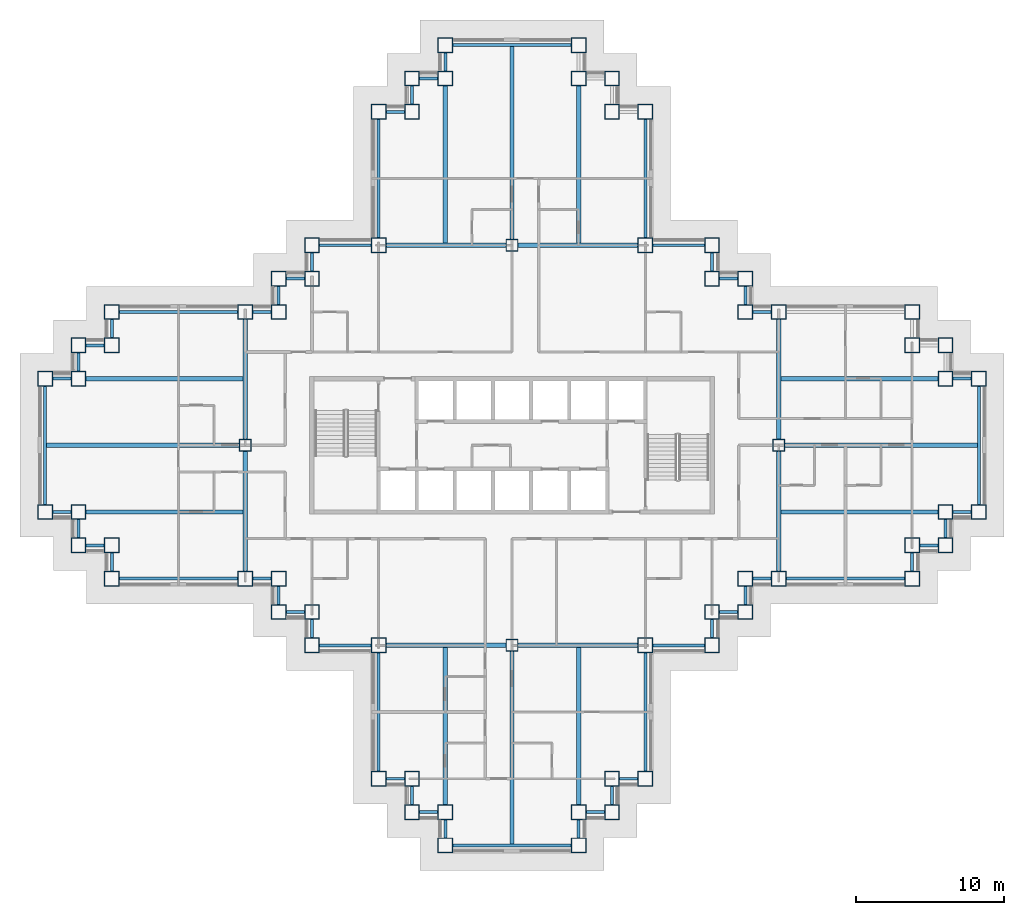
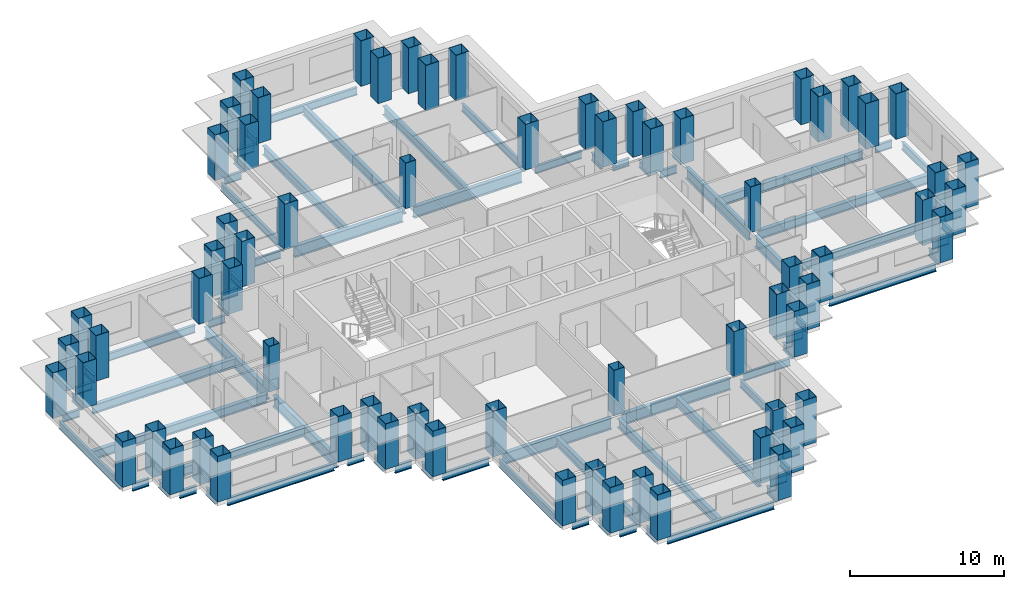
# One storey, part 1 of 14: 76 beams, 68 columns.
"""IFC4 building model written with IfcOpenShell, lengths in metres."""

import ifcopenshell
import ifcopenshell.guid

model = None  # the IFC model being written
_history = None  # IfcOwnerHistory: only IFC2X3 demands one
_inside = {}  # id of a spatial element -> (the spatial element, [elements in it])
_under = {}  # id of a project, library or spatial element -> (it, [spatial elements below it])
_declared = {}  # id of a project -> (the project, [libraries it declares])
_typed = {}  # id of a type object -> (the type object, [elements of that type])
_made_of = {}  # id of a material, layer set ... -> (it, [elements and type objects made of it])


def new_model(schema):
    """Start an empty IFC model of exactly this schema.

    Asked for "IFC4X3", IfcOpenShell would pick the latest addendum, in which some entities
    have other attributes; the version numbers below select the first issue.
    IFC2X3 requires an IfcOwnerHistory on every rooted entity: one is made here for all.
    """
    global model, _history
    if schema == "IFC4X3":
        model = ifcopenshell.file(schema_version=(4, 3, 0, 0))
    else:
        model = ifcopenshell.file(schema=schema)
    _inside.clear()
    _under.clear()
    _declared.clear()
    _typed.clear()
    _made_of.clear()
    _history = None
    if model.schema == "IFC2X3":
        org = make("IfcOrganization", Name="unknown")
        user = make(
            "IfcPersonAndOrganization",
            ThePerson=make("IfcPerson", FamilyName="unknown"),
            TheOrganization=org,
        )
        app = make(
            "IfcApplication",
            ApplicationDeveloper=org,
            Version="unknown",
            ApplicationFullName="unknown",
            ApplicationIdentifier="unknown",
        )
        _history = make(
            "IfcOwnerHistory",
            OwningUser=user,
            OwningApplication=app,
            ChangeAction="ADDED",
            CreationDate=0,
        )
    return model


def make(cls, **values):
    """One entity of the class cls with the attributes given. An attribute that is None is left unset."""
    return model.create_entity(
        cls, **{name: value for name, value in values.items() if value is not None}
    )


def rooted(cls, **values):
    """An entity with a GlobalId (a new one), such as an element, a storey or a relation."""
    return make(cls, GlobalId=ifcopenshell.guid.new(), OwnerHistory=_history, **values)


def si_unit(unit_type, name, prefix=None):
    """IfcSIUnit, for example si_unit("LENGTHUNIT", "METRE", prefix="MILLI")."""
    return make("IfcSIUnit", UnitType=unit_type, Prefix=prefix, Name=name)


def assignment(units):
    """IfcUnitAssignment: the units of a project."""
    return None if units is None else make("IfcUnitAssignment", Units=units)


def point(xyz):
    """IfcCartesianPoint."""
    return None if xyz is None else make("IfcCartesianPoint", Coordinates=xyz)


def direction(xyz):
    """IfcDirection."""
    return None if xyz is None else make("IfcDirection", DirectionRatios=xyz)


def frame(location, z_axis=None, x_axis=None):
    """IfcAxis2Placement3D, a coordinate frame: its origin and axes. An axis left out is left unset."""
    return make(
        "IfcAxis2Placement3D",
        Location=point(location),
        Axis=direction(z_axis),
        RefDirection=direction(x_axis),
    )


def frame_2d(location, x_axis=None):
    """IfcAxis2Placement2D, a coordinate frame in the plane: its origin and x axis."""
    return make(
        "IfcAxis2Placement2D", Location=point(location), RefDirection=direction(x_axis)
    )


def origin():
    """The frame at (0, 0, 0) with its axes left unset."""
    return frame((0.0, 0.0, 0.0))


def origin_2d():
    """The frame at (0, 0) in the plane with its x axis left unset."""
    return frame_2d((0.0, 0.0))


def place(relative_to, where):
    """IfcLocalPlacement: puts the frame where relative to a parent placement (None: the world)."""
    return make(
        "IfcLocalPlacement", PlacementRelTo=relative_to, RelativePlacement=where
    )


def context(
    kind, dimensions, precision=None, world=None, true_north=None, identifier=None
):
    """IfcGeometricRepresentationContext, for example the 3D "Model" context."""
    return make(
        "IfcGeometricRepresentationContext",
        ContextIdentifier=identifier,
        ContextType=kind,
        CoordinateSpaceDimension=dimensions,
        Precision=precision,
        WorldCoordinateSystem=world,
        TrueNorth=true_north,
    )


def subcontext(parent, identifier, kind, view, scale=None):
    """IfcGeometricRepresentationSubContext, for example "Body" below "Model"."""
    return make(
        "IfcGeometricRepresentationSubContext",
        ContextIdentifier=identifier,
        ContextType=kind,
        ParentContext=parent,
        TargetScale=scale,
        TargetView=view,
    )


def project(units=None, contexts=None):
    """IfcProject with its units and contexts."""
    return rooted(
        "IfcProject",
        Name="project",
        RepresentationContexts=contexts,
        UnitsInContext=assignment(units),
    )


def spatial(cls, under=None, at=None, **own):
    """A site, building, storey or space (cls), placed at a placement, below another one or the project."""
    s = rooted(cls, ObjectPlacement=at, **own)
    if under is not None:
        _under.setdefault(under.id(), (under, []))[1].append(s)
    return s


def profile(cls, at=None, kind="AREA", **sizes):
    """A parametric profile (cls). Its sizes go by their IFC names, for example OverallWidth=200.0."""
    return make(cls, ProfileType=kind, Position=at, **sizes)


def hollow_rectangle(**sizes):
    """IfcRectangleHollowProfileDef."""
    return profile("IfcRectangleHollowProfileDef", **sizes)


def i_section(**sizes):
    """IfcIShapeProfileDef."""
    return profile("IfcIShapeProfileDef", **sizes)


def extrude(swept, where, along, depth):
    """IfcExtrudedAreaSolid: the profile swept, set in the frame where, extruded along a direction by depth."""
    return make(
        "IfcExtrudedAreaSolid",
        SweptArea=swept,
        Position=where,
        ExtrudedDirection=direction(along),
        Depth=depth,
    )


def shape(context_of_items, identifier, shape_type, items):
    """IfcShapeRepresentation: the items that make up one representation, for example the "Body"."""
    return make(
        "IfcShapeRepresentation",
        ContextOfItems=context_of_items,
        RepresentationIdentifier=identifier,
        RepresentationType=shape_type,
        Items=items,
    )


def material(Name=None, Category=None):
    """IfcMaterial."""
    return make("IfcMaterial", Name=Name, Category=Category)


def material_profile(
    of_material, cross_section, Name=None, Category=None, Priority=None
):
    """IfcMaterialProfile: a cross section and its material."""
    return make(
        "IfcMaterialProfile",
        Name=Name,
        Material=of_material,
        Profile=cross_section,
        Priority=Priority,
        Category=Category,
    )


def profile_set(profiles, Name=None, composite=None):
    """IfcMaterialProfileSet."""
    return make(
        "IfcMaterialProfileSet",
        Name=Name,
        MaterialProfiles=profiles,
        CompositeProfile=composite,
    )


def made_of(thing, what):
    """Note that an element or type object is made of a material, layer set ...; save() writes the relation."""
    if what is not None:
        _made_of.setdefault(what.id(), (what, []))[1].append(thing)
    return thing


def type_object(cls, material=None, **own):
    """A type object (cls), such as IfcWallType, which elements share."""
    return made_of(rooted(cls, **own), material)


def element(
    cls,
    number,
    at=None,
    inside=None,
    cuts=None,
    type_object=None,
    material=None,
    context=None,
    identifier="Body",
    shape_type=None,
    held_by="IfcProductDefinitionShape",
    body=None,
    shapes=None,
    **own,
):
    """One element of the class cls, such as IfcWall. Its Tag is "e" and its number.

    at: its placement. inside: the storey or other place that contains it. cuts: it is an
    opening in that element (IfcRelVoidsElement). A single representation is given by context,
    identifier, shape_type and body (its items); several are given by shapes. held_by: the class
    of the entity that holds the representations. save() writes the other relations.
    """
    e = rooted(cls, Tag="e%d" % number, ObjectPlacement=at, **own)
    if body is not None:
        shapes = [shape(context, identifier, shape_type, body)]
    if shapes is not None:
        e.Representation = make(held_by, Representations=shapes)
    if inside is not None:
        _inside.setdefault(inside.id(), (inside, []))[1].append(e)
    if cuts is not None:
        rooted(
            "IfcRelVoidsElement", RelatingBuildingElement=cuts, RelatedOpeningElement=e
        )
    if type_object is not None:
        _typed.setdefault(type_object.id(), (type_object, []))[1].append(e)
    return made_of(e, material)


def aggregate(whole, parts):
    """IfcRelAggregates: a whole, such as a stair, and the parts it consists of."""
    return rooted("IfcRelAggregates", RelatingObject=whole, RelatedObjects=parts)


def save(model, path):
    """Write the relations noted so far, then the file.

    IfcRelAggregates (storeys below a building ...), IfcRelContainedInSpatialStructure (elements
    in a storey), IfcRelDefinesByType, IfcRelAssociatesMaterial and IfcRelDeclares: one each for
    every whole, place, type object, material and project.
    """
    for whole, parts in _under.values():
        aggregate(whole, parts)
    for where, things in _inside.values():
        rooted(
            "IfcRelContainedInSpatialStructure",
            RelatedElements=things,
            RelatingStructure=where,
        )
    for kind, things in _typed.values():
        rooted("IfcRelDefinesByType", RelatedObjects=things, RelatingType=kind)
    for what, things in _made_of.values():
        rooted("IfcRelAssociatesMaterial", RelatedObjects=things, RelatingMaterial=what)
    for by, libraries in _declared.values():
        rooted("IfcRelDeclares", RelatingContext=by, RelatedDefinitions=libraries)
    model.write(path)


model = new_model("IFC4")

# Units and contexts
model_context = context("Model", 3, precision=1e-05, world=origin(), true_north=direction((0.0, 1.0)))
body_context = subcontext(model_context, "Body", "Model", "MODEL_VIEW")
ifc_project = project(units=[si_unit("LENGTHUNIT", "METRE"), si_unit("AREAUNIT", "SQUARE_METRE"), si_unit("VOLUMEUNIT", "CUBIC_METRE"), si_unit("PLANEANGLEUNIT", "RADIAN"), si_unit("MASSUNIT", "GRAM", prefix="KILO")], contexts=[model_context])

# Site, building, storey
site_placement = place(None, origin())
site = spatial("IfcSite", under=ifc_project, at=site_placement, CompositionType="ELEMENT")
building_placement = place(site_placement, origin())
building = spatial("IfcBuilding", under=site, at=building_placement, Name="Caravel Reach Hotel and Residences", CompositionType="ELEMENT")
storey_placement = place(building_placement, frame((0.0, 0.0, 56.39990234375)))
storey = spatial("IfcBuildingStorey", under=building, at=storey_placement, Name="L12", CompositionType="ELEMENT", Elevation=56.39990234375)

# Columns
ifc_material_1 = material(Name="Concrete-filled steel tube Q390B with Concrete C70 infill", Category="concrete")
ifc_material_profile_1 = material_profile(ifc_material_1, hollow_rectangle(XDim=1.0, YDim=1.0, WallThickness=0.031982421875, at=origin_2d()), Name="RHS 1000x1000x32")
ifc_profile_set_1 = profile_set([ifc_material_profile_1], Name="Concrete-filled steel tube Q390B with Concrete C70 infill")
column_type_1 = type_object("IfcColumnType", Name="CFT 1000x1000 Q390B C70", PredefinedType="COLUMN", material=ifc_profile_set_1)
for number, where, z_axis, x_axis, name in (
    (1, (22.5, 4.5, 0.0), (0.0, 0.0, 1.0), (1.0, 0.0, 0.0), "C2 column"),
    (2, (24.75, 4.5, 0.0), (0.0, 0.0, 1.0), (1.0, 0.0, 0.0), "C2 column"),
    (3, (24.75, 2.25, 0.0), (0.0, 0.0, 1.0), (1.0, 0.0, 0.0), "C2 column"),
    (4, (27.0, 2.25, 0.0), (0.0, 0.0, 1.0), (1.0, 0.0, 0.0), "C2 column"),
    (5, (27.0, 0.0, 0.0), (0.0, 0.0, 1.0), (1.0, 0.0, 0.0), "C2 column"),
    (6, (36.0, 0.0, 0.0), (0.0, 0.0, 1.0), (1.0, 0.0, 0.0), "C2 column"),
    (7, (36.0, 2.25, 0.0), (0.0, 0.0, 1.0), (1.0, 0.0, 0.0), "C2 column"),
    (8, (38.25, 2.25, 0.0), (0.0, 0.0, 1.0), (1.0, 0.0, 0.0), "C2 column"),
    (9, (38.25, 4.5, 0.0), (0.0, 0.0, 1.0), (1.0, 0.0, 0.0), "C2 column"),
    (10, (40.5, 4.5, 0.0), (0.0, 0.0, 1.0), (1.0, 0.0, 0.0), "C2 column"),
    (11, (40.5, 13.5, 0.0), (0.0, 0.0, 1.0), (1.0, 0.0, 0.0), "C2 column"),
    (12, (45.0, 13.5, 0.0), (0.0, 0.0, 1.0), (1.0, 0.0, 0.0), "C2 column"),
    (13, (45.0, 15.75, 0.0), (0.0, 0.0, 1.0), (1.0, 0.0, 0.0), "C2 column"),
    (14, (47.25, 15.75, 0.0), (0.0, 0.0, 1.0), (1.0, 0.0, 0.0), "C2 column"),
    (15, (47.25, 18.0, 0.0), (0.0, 0.0, 1.0), (1.0, 0.0, 0.0), "C2 column"),
    (16, (49.5, 18.0, 0.0), (0.0, 0.0, 1.0), (1.0, 0.0, 0.0), "C2 column"),
    (17, (58.5, 18.0, 0.0), (0.0, 0.0, 1.0), (1.0, 0.0, 0.0), "C2 column"),
    (18, (58.5, 20.25, 0.0), (0.0, 0.0, 1.0), (1.0, 0.0, 0.0), "C2 column"),
    (19, (60.75, 20.25, 0.0), (0.0, 0.0, 1.0), (1.0, 0.0, 0.0), "C2 column"),
    (20, (60.75, 22.5, 0.0), (0.0, 0.0, 1.0), (1.0, 0.0, 0.0), "C2 column"),
    (21, (63.0, 22.5, 0.0), (0.0, 0.0, 1.0), (1.0, 0.0, 0.0), "C2 column"),
    (22, (63.0, 31.5, 0.0), (0.0, 0.0, 1.0), (1.0, 0.0, 0.0), "C2 column"),
    (23, (60.75, 31.5, 0.0), (0.0, 0.0, 1.0), (1.0, 0.0, 0.0), "C2 column"),
    (24, (60.75, 33.75, 0.0), (0.0, 0.0, 1.0), (1.0, 0.0, 0.0), "C2 column"),
    (25, (58.5, 33.75, 0.0), (0.0, 0.0, 1.0), (1.0, 0.0, 0.0), "C2 column"),
    (26, (58.5, 36.0, 0.0), (0.0, 0.0, 1.0), (1.0, 0.0, 0.0), "C2 column"),
    (27, (49.5, 36.0, 0.0), (0.0, 0.0, 1.0), (1.0, 0.0, 0.0), "C2 column"),
    (28, (47.25, 36.0, 0.0), (0.0, 0.0, 1.0), (1.0, 0.0, 0.0), "C2 column"),
    (29, (47.25, 38.25, 0.0), (0.0, 0.0, 1.0), (1.0, 0.0, 0.0), "C2 column"),
    (30, (45.0, 38.25, 0.0), (0.0, 0.0, 1.0), (1.0, 0.0, 0.0), "C2 column"),
    (31, (45.0, 40.5, 0.0), (0.0, 0.0, 1.0), (1.0, 0.0, 0.0), "C2 column"),
    (32, (40.5, 40.5, 0.0), (0.0, 0.0, 1.0), (1.0, 0.0, 0.0), "C2 column"),
    (33, (40.5, 49.5, 0.0), (0.0, 0.0, 1.0), (1.0, 0.0, 0.0), "C2 column"),
    (34, (38.25, 49.5, 0.0), (0.0, 0.0, 1.0), (1.0, 0.0, 0.0), "C2 column"),
    (35, (38.25, 51.75, 0.0), (0.0, 0.0, 1.0), (1.0, 0.0, 0.0), "C2 column"),
    (36, (36.0, 51.75, 0.0), (0.0, 0.0, 1.0), (1.0, 0.0, 0.0), "C2 column"),
    (37, (36.0, 54.0, 0.0), (0.0, 0.0, 1.0), (1.0, 0.0, 0.0), "C2 column"),
    (38, (27.0, 54.0, 0.0), (0.0, 0.0, 1.0), (1.0, 0.0, 0.0), "C2 column"),
    (39, (27.0, 51.75, 0.0), (0.0, 0.0, 1.0), (1.0, 0.0, 0.0), "C2 column"),
    (40, (24.75, 51.75, 0.0), (0.0, 0.0, 1.0), (1.0, 0.0, 0.0), "C2 column"),
    (41, (24.75, 49.5, 0.0), (0.0, 0.0, 1.0), (1.0, 0.0, 0.0), "C2 column"),
    (42, (22.5, 49.5, 0.0), (0.0, 0.0, 1.0), (1.0, 0.0, 0.0), "C2 column"),
    (43, (22.5, 40.5, 0.0), (0.0, 0.0, 1.0), (1.0, 0.0, 0.0), "C2 column"),
    (44, (18.0, 40.5, 0.0), (0.0, 0.0, 1.0), (1.0, 0.0, 0.0), "C2 column"),
    (45, (18.0, 38.25, 0.0), (0.0, 0.0, 1.0), (1.0, 0.0, 0.0), "C2 column"),
    (46, (15.75, 38.25, 0.0), (0.0, 0.0, 1.0), (1.0, 0.0, 0.0), "C2 column"),
    (47, (15.75, 36.0, 0.0), (0.0, 0.0, 1.0), (1.0, 0.0, 0.0), "C2 column"),
    (48, (13.5, 36.0, 0.0), (0.0, 0.0, 1.0), (1.0, 0.0, 0.0), "C2 column"),
    (49, (4.5, 36.0, 0.0), (0.0, 0.0, 1.0), (1.0, 0.0, 0.0), "C2 column"),
    (50, (4.5, 33.75, 0.0), (0.0, 0.0, 1.0), (1.0, 0.0, 0.0), "C2 column"),
    (51, (2.25, 33.75, 0.0), (0.0, 0.0, 1.0), (1.0, 0.0, 0.0), "C2 column"),
    (52, (2.25, 31.5, 0.0), (0.0, 0.0, 1.0), (1.0, 0.0, 0.0), "C2 column"),
    (53, (0.0, 31.5, 0.0), (0.0, 0.0, 1.0), (1.0, 0.0, 0.0), "C2 column"),
    (54, (0.0, 22.5, 0.0), (0.0, 0.0, 1.0), (1.0, 0.0, 0.0), "C2 column"),
    (55, (2.25, 22.5, 0.0), (0.0, 0.0, 1.0), (1.0, 0.0, 0.0), "C2 column"),
    (56, (2.25, 20.25, 0.0), (0.0, 0.0, 1.0), (1.0, 0.0, 0.0), "C2 column"),
    (57, (4.5, 20.25, 0.0), (0.0, 0.0, 1.0), (1.0, 0.0, 0.0), "C2 column"),
    (58, (4.5, 18.0, 0.0), (0.0, 0.0, 1.0), (1.0, 0.0, 0.0), "C2 column"),
    (59, (13.5, 18.0, 0.0), (0.0, 0.0, 1.0), (1.0, 0.0, 0.0), "C2 column"),
    (60, (15.75, 18.0, 0.0), (0.0, 0.0, 1.0), (1.0, 0.0, 0.0), "C2 column"),
    (61, (15.75, 15.75, 0.0), (0.0, 0.0, 1.0), (1.0, 0.0, 0.0), "C2 column"),
    (62, (18.0, 15.75, 0.0), (0.0, 0.0, 1.0), (1.0, 0.0, 0.0), "C2 column"),
    (63, (18.0, 13.5, 0.0), (0.0, 0.0, 1.0), (1.0, 0.0, 0.0), "C2 column"),
    (64, (22.5, 13.5, 0.0), (0.0, 0.0, 1.0), (1.0, 0.0, 0.0), "C2 column"),
):
    element("IfcColumn", number, at=place(storey_placement, frame(where, z_axis=z_axis, x_axis=x_axis)), inside=storey, type_object=column_type_1, Name=name, PredefinedType="COLUMN", context=body_context, shape_type="SweptSolid", body=[
        extrude(hollow_rectangle(XDim=1.0, YDim=1.0, WallThickness=0.031982421875, at=origin_2d()), origin(), (0.0, 0.0, 1.0), 3.60009765625),
    ])
ifc_material_2 = material(Name="Concrete-filled steel tube Q390B with Concrete C70 infill", Category="concrete")
ifc_material_profile_2 = material_profile(ifc_material_2, hollow_rectangle(XDim=0.800048828125, YDim=0.800048828125, WallThickness=0.02490234375, at=origin_2d()), Name="RHS 800x800x25")
ifc_profile_set_2 = profile_set([ifc_material_profile_2], Name="Concrete-filled steel tube Q390B with Concrete C70 infill")
column_type_2 = type_object("IfcColumnType", Name="CFT 800x800 Q390B C70", PredefinedType="COLUMN", material=ifc_profile_set_2)
for number, where, z_axis, x_axis, name in (
    (65, (31.5, 40.5, 0.0), (0.0, 0.0, 1.0), (1.0, 0.0, 0.0), "C4 column"),
    (66, (31.5, 13.5, 0.0), (0.0, 0.0, 1.0), (1.0, 0.0, 0.0), "C4 column"),
    (67, (13.5, 27.0, 0.0), (0.0, 0.0, 1.0), (1.0, 0.0, 0.0), "C4 column"),
    (68, (49.5, 27.0, 0.0), (0.0, 0.0, 1.0), (1.0, 0.0, 0.0), "C4 column"),
):
    element("IfcColumn", number, at=place(storey_placement, frame(where, z_axis=z_axis, x_axis=x_axis)), inside=storey, type_object=column_type_2, Name=name, PredefinedType="COLUMN", context=body_context, shape_type="SweptSolid", body=[
        extrude(hollow_rectangle(XDim=0.800048828125, YDim=0.800048828125, WallThickness=0.02490234375, at=origin_2d()), origin(), (0.0, 0.0, 1.0), 3.60009765625),
    ])

# Beams
ifc_material_3 = material(Name="Structural steel Q355B", Category="steel")
ifc_material_profile_3 = material_profile(ifc_material_3, i_section(OverallWidth=0.300048828125, OverallDepth=0.699951171875, WebThickness=0.012939453125, FlangeThickness=0.02392578125, FilletRadius=0.01806640625, at=origin_2d()), Name="HN 700x300x13x24")
ifc_profile_set_3 = profile_set([ifc_material_profile_3], Name="Structural steel Q355B")
beam_type_1 = type_object("IfcBeamType", Name="Beam HN 700x300x13x24", PredefinedType="BEAM", material=ifc_profile_set_3)
beam_1_placement = place(storey_placement, frame((27.0, 40.60009765625, -0.64990234375), z_axis=(0.0, 1.0, 0.0), x_axis=(-1.0, 0.0, 0.0)))
element("IfcBeam", 69, at=beam_1_placement, inside=storey, type_object=beam_type_1, Name="B2 HN 700x300x13x24", PredefinedType="BEAM", context=body_context, shape_type="SweptSolid", body=[
    extrude(i_section(OverallWidth=0.300048828125, OverallDepth=0.699951171875, WebThickness=0.012939453125, FlangeThickness=0.02392578125, FilletRadius=0.01806640625, at=origin_2d()), origin(), (0.0, 0.0, 1.0), 10.699951171875),
])
beam_2_placement = place(storey_placement, frame((31.5, 40.85009765625, -0.64990234375), z_axis=(0.0, 1.0, 0.0), x_axis=(-1.0, 0.0, 0.0)))
element("IfcBeam", 70, at=beam_2_placement, inside=storey, type_object=beam_type_1, Name="B2 HN 700x300x13x24", PredefinedType="BEAM", context=body_context, shape_type="SweptSolid", body=[
    extrude(i_section(OverallWidth=0.300048828125, OverallDepth=0.699951171875, WebThickness=0.012939453125, FlangeThickness=0.02392578125, FilletRadius=0.01806640625, at=origin_2d()), origin(), (0.0, 0.0, 1.0), 13.0498046875),
])
for number, where, z_axis, x_axis, name in (
    (71, (36.0, 40.60009765625, -0.64990234375), (0.0, 1.0, 0.0), (-1.0, 0.0, 0.0), "B2 HN 700x300x13x24"),
    (72, (27.0, 13.39990234375, -0.64990234375), (0.0, -1.0, 0.0), (1.0, 0.0, 0.0), "B2 HN 700x300x13x24"),
):
    element("IfcBeam", number, at=place(storey_placement, frame(where, z_axis=z_axis, x_axis=x_axis)), inside=storey, type_object=beam_type_1, Name=name, PredefinedType="BEAM", context=body_context, shape_type="SweptSolid", body=[
        extrude(i_section(OverallWidth=0.300048828125, OverallDepth=0.699951171875, WebThickness=0.012939453125, FlangeThickness=0.02392578125, FilletRadius=0.01806640625, at=origin_2d()), origin(), (0.0, 0.0, 1.0), 10.699951171875),
    ])
beam_3_placement = place(storey_placement, frame((31.5, 13.14990234375, -0.64990234375), z_axis=(0.0, -1.0, 0.0), x_axis=(1.0, 0.0, 0.0)))
element("IfcBeam", 73, at=beam_3_placement, inside=storey, type_object=beam_type_1, Name="B2 HN 700x300x13x24", PredefinedType="BEAM", context=body_context, shape_type="SweptSolid", body=[
    extrude(i_section(OverallWidth=0.300048828125, OverallDepth=0.699951171875, WebThickness=0.012939453125, FlangeThickness=0.02392578125, FilletRadius=0.01806640625, at=origin_2d()), origin(), (0.0, 0.0, 1.0), 13.0498046875),
])
for number, where, z_axis, x_axis, name in (
    (74, (36.0, 13.39990234375, -0.64990234375), (0.0, -1.0, 0.0), (1.0, 0.0, 0.0), "B2 HN 700x300x13x24"),
    (75, (49.60009765625, 22.5, -0.64990234375), (1.0, 0.0, 0.0), (0.0, 1.0, 0.0), "B2 HN 700x300x13x24"),
):
    element("IfcBeam", number, at=place(storey_placement, frame(where, z_axis=z_axis, x_axis=x_axis)), inside=storey, type_object=beam_type_1, Name=name, PredefinedType="BEAM", context=body_context, shape_type="SweptSolid", body=[
        extrude(i_section(OverallWidth=0.300048828125, OverallDepth=0.699951171875, WebThickness=0.012939453125, FlangeThickness=0.02392578125, FilletRadius=0.01806640625, at=origin_2d()), origin(), (0.0, 0.0, 1.0), 10.699951171875),
    ])
beam_4_placement = place(storey_placement, frame((49.85009765625, 27.0, -0.64990234375), z_axis=(1.0, 0.0, 0.0), x_axis=(0.0, 1.0, 0.0)))
element("IfcBeam", 76, at=beam_4_placement, inside=storey, type_object=beam_type_1, Name="B2 HN 700x300x13x24", PredefinedType="BEAM", context=body_context, shape_type="SweptSolid", body=[
    extrude(i_section(OverallWidth=0.300048828125, OverallDepth=0.699951171875, WebThickness=0.012939453125, FlangeThickness=0.02392578125, FilletRadius=0.01806640625, at=origin_2d()), origin(), (0.0, 0.0, 1.0), 13.0498046875),
])
for number, where, z_axis, x_axis, name in (
    (77, (49.60009765625, 31.5, -0.64990234375), (1.0, 0.0, 0.0), (0.0, 1.0, 0.0), "B2 HN 700x300x13x24"),
    (78, (13.39990234375, 22.5, -0.64990234375), (-1.0, 0.0, 0.0), (0.0, -1.0, 0.0), "B2 HN 700x300x13x24"),
):
    element("IfcBeam", number, at=place(storey_placement, frame(where, z_axis=z_axis, x_axis=x_axis)), inside=storey, type_object=beam_type_1, Name=name, PredefinedType="BEAM", context=body_context, shape_type="SweptSolid", body=[
        extrude(i_section(OverallWidth=0.300048828125, OverallDepth=0.699951171875, WebThickness=0.012939453125, FlangeThickness=0.02392578125, FilletRadius=0.01806640625, at=origin_2d()), origin(), (0.0, 0.0, 1.0), 10.699951171875),
    ])
beam_5_placement = place(storey_placement, frame((13.14990234375, 27.0, -0.64990234375), z_axis=(-1.0, 0.0, 0.0), x_axis=(0.0, -1.0, 0.0)))
element("IfcBeam", 79, at=beam_5_placement, inside=storey, type_object=beam_type_1, Name="B2 HN 700x300x13x24", PredefinedType="BEAM", context=body_context, shape_type="SweptSolid", body=[
    extrude(i_section(OverallWidth=0.300048828125, OverallDepth=0.699951171875, WebThickness=0.012939453125, FlangeThickness=0.02392578125, FilletRadius=0.01806640625, at=origin_2d()), origin(), (0.0, 0.0, 1.0), 13.0498046875),
])
beam_6_placement = place(storey_placement, frame((13.39990234375, 31.5, -0.64990234375), z_axis=(-1.0, 0.0, 0.0), x_axis=(0.0, -1.0, 0.0)))
element("IfcBeam", 80, at=beam_6_placement, inside=storey, type_object=beam_type_1, Name="B2 HN 700x300x13x24", PredefinedType="BEAM", context=body_context, shape_type="SweptSolid", body=[
    extrude(i_section(OverallWidth=0.300048828125, OverallDepth=0.699951171875, WebThickness=0.012939453125, FlangeThickness=0.02392578125, FilletRadius=0.01806640625, at=origin_2d()), origin(), (0.0, 0.0, 1.0), 10.699951171875),
])
ifc_material_4 = material(Name="Structural steel Q355B", Category="steel")
ifc_material_profile_4 = material_profile(ifc_material_4, i_section(OverallWidth=0.300048828125, OverallDepth=0.89990234375, WebThickness=0.01611328125, FlangeThickness=0.028076171875, FilletRadius=0.01806640625, at=origin_2d()), Name="HN 900x300x16x28")
ifc_profile_set_4 = profile_set([ifc_material_profile_4], Name="Structural steel Q355B")
beam_type_2 = type_object("IfcBeamType", Name="Beam HN 900x300x16x28", PredefinedType="BEAM", material=ifc_profile_set_4)
for number, where, z_axis, x_axis, name in (
    (81, (23.0, 40.5, -0.75), (1.0, 0.0, 0.0), (0.0, 1.0, 0.0), "B3 HN 900x300x16x28"),
    (82, (31.89990234375, 40.5, -0.75), (1.0, 0.0, 0.0), (0.0, 1.0, 0.0), "B3 HN 900x300x16x28"),
    (83, (23.0, 13.5, -0.75), (1.0, 0.0, 0.0), (0.0, 1.0, 0.0), "B3 HN 900x300x16x28"),
    (84, (31.89990234375, 13.5, -0.75), (1.0, 0.0, 0.0), (0.0, 1.0, 0.0), "B3 HN 900x300x16x28"),
    (85, (13.5, 18.5, -0.75), (0.0, 1.0, 0.0), (-1.0, 0.0, 0.0), "B3 HN 900x300x16x28"),
    (86, (13.5, 27.39990234375, -0.75), (0.0, 1.0, 0.0), (-1.0, 0.0, 0.0), "B3 HN 900x300x16x28"),
    (87, (49.5, 18.5, -0.75), (0.0, 1.0, 0.0), (-1.0, 0.0, 0.0), "B3 HN 900x300x16x28"),
    (88, (49.5, 27.39990234375, -0.75), (0.0, 1.0, 0.0), (-1.0, 0.0, 0.0), "B3 HN 900x300x16x28"),
):
    element("IfcBeam", number, at=place(storey_placement, frame(where, z_axis=z_axis, x_axis=x_axis)), inside=storey, type_object=beam_type_2, Name=name, PredefinedType="BEAM", context=body_context, shape_type="SweptSolid", body=[
        extrude(i_section(OverallWidth=0.300048828125, OverallDepth=0.89990234375, WebThickness=0.01611328125, FlangeThickness=0.028076171875, FilletRadius=0.01806640625, at=origin_2d()), origin(), (0.0, 0.0, 1.0), 8.10009765625),
    ])
ifc_material_5 = material(Name="Structural steel Q355B", Category="steel")
ifc_material_profile_5 = material_profile(ifc_material_5, i_section(OverallWidth=0.199951171875, OverallDepth=0.60009765625, WebThickness=0.010986328125, FlangeThickness=0.01708984375, FilletRadius=0.012939453125, at=origin_2d()), Name="HN 600x200x11x17")
ifc_profile_set_5 = profile_set([ifc_material_profile_5], Name="Structural steel Q355B")
beam_type_3 = type_object("IfcBeamType", Name="Spandrel beam HN 600x200x11x17", PredefinedType="SPANDREL", material=ifc_profile_set_5)
for number, where, z_axis, x_axis, name in (
    (89, (23.0, 4.5, -0.599853515625), (1.0, 0.0, 0.0), (0.0, 1.0, 0.0), "SP1 HN 600x200x11x17"),
    (90, (24.75, 4.0, -0.599853515625), (0.0, -1.0, 0.0), (1.0, 0.0, 0.0), "SP1 HN 600x200x11x17"),
    (91, (25.25, 2.25, -0.599853515625), (1.0, 0.0, 0.0), (0.0, 1.0, 0.0), "SP1 HN 600x200x11x17"),
    (92, (27.0, 1.75, -0.599853515625), (0.0, -1.0, 0.0), (1.0, 0.0, 0.0), "SP1 HN 600x200x11x17"),
):
    element("IfcBeam", number, at=place(storey_placement, frame(where, z_axis=z_axis, x_axis=x_axis)), inside=storey, type_object=beam_type_3, Name=name, PredefinedType="SPANDREL", context=body_context, shape_type="SweptSolid", body=[
        extrude(i_section(OverallWidth=0.199951171875, OverallDepth=0.60009765625, WebThickness=0.010986328125, FlangeThickness=0.01708984375, FilletRadius=0.012939453125, at=origin_2d()), origin(), (0.0, 0.0, 1.0), 1.25),
    ])
beam_7_placement = place(storey_placement, frame((27.5, 0.0, -0.599853515625), z_axis=(1.0, 0.0, 0.0), x_axis=(0.0, 1.0, 0.0)))
element("IfcBeam", 93, at=beam_7_placement, inside=storey, type_object=beam_type_3, Name="SP1 HN 600x200x11x17", PredefinedType="SPANDREL", context=body_context, shape_type="SweptSolid", body=[
    extrude(i_section(OverallWidth=0.199951171875, OverallDepth=0.60009765625, WebThickness=0.010986328125, FlangeThickness=0.01708984375, FilletRadius=0.012939453125, at=origin_2d()), origin(), (0.0, 0.0, 1.0), 8.0),
])
for number, where, z_axis, x_axis, name in (
    (94, (36.0, 0.5, -0.599853515625), (0.0, 1.0, 0.0), (-1.0, 0.0, 0.0), "SP1 HN 600x200x11x17"),
    (95, (36.5, 2.25, -0.599853515625), (1.0, 0.0, 0.0), (0.0, 1.0, 0.0), "SP1 HN 600x200x11x17"),
    (96, (38.25, 2.75, -0.599853515625), (0.0, 1.0, 0.0), (-1.0, 0.0, 0.0), "SP1 HN 600x200x11x17"),
    (97, (38.75, 4.5, -0.599853515625), (1.0, 0.0, 0.0), (0.0, 1.0, 0.0), "SP1 HN 600x200x11x17"),
):
    element("IfcBeam", number, at=place(storey_placement, frame(where, z_axis=z_axis, x_axis=x_axis)), inside=storey, type_object=beam_type_3, Name=name, PredefinedType="SPANDREL", context=body_context, shape_type="SweptSolid", body=[
        extrude(i_section(OverallWidth=0.199951171875, OverallDepth=0.60009765625, WebThickness=0.010986328125, FlangeThickness=0.01708984375, FilletRadius=0.012939453125, at=origin_2d()), origin(), (0.0, 0.0, 1.0), 1.25),
    ])
beam_8_placement = place(storey_placement, frame((40.5, 5.0, -0.599853515625), z_axis=(0.0, 1.0, 0.0), x_axis=(-1.0, 0.0, 0.0)))
element("IfcBeam", 98, at=beam_8_placement, inside=storey, type_object=beam_type_3, Name="SP1 HN 600x200x11x17", PredefinedType="SPANDREL", context=body_context, shape_type="SweptSolid", body=[
    extrude(i_section(OverallWidth=0.199951171875, OverallDepth=0.60009765625, WebThickness=0.010986328125, FlangeThickness=0.01708984375, FilletRadius=0.012939453125, at=origin_2d()), origin(), (0.0, 0.0, 1.0), 8.0),
])
beam_9_placement = place(storey_placement, frame((41.0, 13.5, -0.599853515625), z_axis=(1.0, 0.0, 0.0), x_axis=(0.0, 1.0, 0.0)))
element("IfcBeam", 99, at=beam_9_placement, inside=storey, type_object=beam_type_3, Name="SP1 HN 600x200x11x17", PredefinedType="SPANDREL", context=body_context, shape_type="SweptSolid", body=[
    extrude(i_section(OverallWidth=0.199951171875, OverallDepth=0.60009765625, WebThickness=0.010986328125, FlangeThickness=0.01708984375, FilletRadius=0.012939453125, at=origin_2d()), origin(), (0.0, 0.0, 1.0), 3.5),
])
for number, where, z_axis, x_axis, name in (
    (100, (45.0, 14.0, -0.599853515625), (0.0, 1.0, 0.0), (-1.0, 0.0, 0.0), "SP1 HN 600x200x11x17"),
    (101, (45.5, 15.75, -0.599853515625), (1.0, 0.0, 0.0), (0.0, 1.0, 0.0), "SP1 HN 600x200x11x17"),
    (102, (47.25, 16.25, -0.599853515625), (0.0, 1.0, 0.0), (-1.0, 0.0, 0.0), "SP1 HN 600x200x11x17"),
    (103, (47.75, 18.0, -0.599853515625), (1.0, 0.0, 0.0), (0.0, 1.0, 0.0), "SP1 HN 600x200x11x17"),
):
    element("IfcBeam", number, at=place(storey_placement, frame(where, z_axis=z_axis, x_axis=x_axis)), inside=storey, type_object=beam_type_3, Name=name, PredefinedType="SPANDREL", context=body_context, shape_type="SweptSolid", body=[
        extrude(i_section(OverallWidth=0.199951171875, OverallDepth=0.60009765625, WebThickness=0.010986328125, FlangeThickness=0.01708984375, FilletRadius=0.012939453125, at=origin_2d()), origin(), (0.0, 0.0, 1.0), 1.25),
    ])
beam_10_placement = place(storey_placement, frame((50.0, 18.0, -0.599853515625), z_axis=(1.0, 0.0, 0.0), x_axis=(0.0, 1.0, 0.0)))
element("IfcBeam", 104, at=beam_10_placement, inside=storey, type_object=beam_type_3, Name="SP1 HN 600x200x11x17", PredefinedType="SPANDREL", context=body_context, shape_type="SweptSolid", body=[
    extrude(i_section(OverallWidth=0.199951171875, OverallDepth=0.60009765625, WebThickness=0.010986328125, FlangeThickness=0.01708984375, FilletRadius=0.012939453125, at=origin_2d()), origin(), (0.0, 0.0, 1.0), 8.0),
])
for number, where, z_axis, x_axis, name in (
    (105, (58.5, 18.5, -0.599853515625), (0.0, 1.0, 0.0), (-1.0, 0.0, 0.0), "SP1 HN 600x200x11x17"),
    (106, (59.0, 20.25, -0.599853515625), (1.0, 0.0, 0.0), (0.0, 1.0, 0.0), "SP1 HN 600x200x11x17"),
    (107, (60.75, 20.75, -0.599853515625), (0.0, 1.0, 0.0), (-1.0, 0.0, 0.0), "SP1 HN 600x200x11x17"),
    (108, (61.25, 22.5, -0.599853515625), (1.0, 0.0, 0.0), (0.0, 1.0, 0.0), "SP1 HN 600x200x11x17"),
):
    element("IfcBeam", number, at=place(storey_placement, frame(where, z_axis=z_axis, x_axis=x_axis)), inside=storey, type_object=beam_type_3, Name=name, PredefinedType="SPANDREL", context=body_context, shape_type="SweptSolid", body=[
        extrude(i_section(OverallWidth=0.199951171875, OverallDepth=0.60009765625, WebThickness=0.010986328125, FlangeThickness=0.01708984375, FilletRadius=0.012939453125, at=origin_2d()), origin(), (0.0, 0.0, 1.0), 1.25),
    ])
beam_11_placement = place(storey_placement, frame((63.0, 23.0, -0.599853515625), z_axis=(0.0, 1.0, 0.0), x_axis=(-1.0, 0.0, 0.0)))
element("IfcBeam", 109, at=beam_11_placement, inside=storey, type_object=beam_type_3, Name="SP1 HN 600x200x11x17", PredefinedType="SPANDREL", context=body_context, shape_type="SweptSolid", body=[
    extrude(i_section(OverallWidth=0.199951171875, OverallDepth=0.60009765625, WebThickness=0.010986328125, FlangeThickness=0.01708984375, FilletRadius=0.012939453125, at=origin_2d()), origin(), (0.0, 0.0, 1.0), 8.0),
])
for number, where, z_axis, x_axis, name in (
    (110, (62.5, 31.5, -0.599853515625), (-1.0, 0.0, 0.0), (0.0, -1.0, 0.0), "SP1 HN 600x200x11x17"),
    (111, (49.0, 36.0, -0.599853515625), (-1.0, 0.0, 0.0), (0.0, -1.0, 0.0), "SP1 HN 600x200x11x17"),
    (112, (47.25, 36.5, -0.599853515625), (0.0, 1.0, 0.0), (-1.0, 0.0, 0.0), "SP1 HN 600x200x11x17"),
    (113, (46.75, 38.25, -0.599853515625), (-1.0, 0.0, 0.0), (0.0, -1.0, 0.0), "SP1 HN 600x200x11x17"),
    (114, (45.0, 38.75, -0.599853515625), (0.0, 1.0, 0.0), (-1.0, 0.0, 0.0), "SP1 HN 600x200x11x17"),
):
    element("IfcBeam", number, at=place(storey_placement, frame(where, z_axis=z_axis, x_axis=x_axis)), inside=storey, type_object=beam_type_3, Name=name, PredefinedType="SPANDREL", context=body_context, shape_type="SweptSolid", body=[
        extrude(i_section(OverallWidth=0.199951171875, OverallDepth=0.60009765625, WebThickness=0.010986328125, FlangeThickness=0.01708984375, FilletRadius=0.012939453125, at=origin_2d()), origin(), (0.0, 0.0, 1.0), 1.25),
    ])
beam_12_placement = place(storey_placement, frame((44.5, 40.5, -0.599853515625), z_axis=(-1.0, 0.0, 0.0), x_axis=(0.0, -1.0, 0.0)))
element("IfcBeam", 115, at=beam_12_placement, inside=storey, type_object=beam_type_3, Name="SP1 HN 600x200x11x17", PredefinedType="SPANDREL", context=body_context, shape_type="SweptSolid", body=[
    extrude(i_section(OverallWidth=0.199951171875, OverallDepth=0.60009765625, WebThickness=0.010986328125, FlangeThickness=0.01708984375, FilletRadius=0.012939453125, at=origin_2d()), origin(), (0.0, 0.0, 1.0), 3.5),
])
for number, where, z_axis, x_axis, name in (
    (116, (40.5, 41.0, -0.599853515625), (0.0, 1.0, 0.0), (-1.0, 0.0, 0.0), "SP1 HN 600x200x11x17"),
    (117, (35.5, 54.0, -0.599853515625), (-1.0, 0.0, 0.0), (0.0, -1.0, 0.0), "SP1 HN 600x200x11x17"),
):
    element("IfcBeam", number, at=place(storey_placement, frame(where, z_axis=z_axis, x_axis=x_axis)), inside=storey, type_object=beam_type_3, Name=name, PredefinedType="SPANDREL", context=body_context, shape_type="SweptSolid", body=[
        extrude(i_section(OverallWidth=0.199951171875, OverallDepth=0.60009765625, WebThickness=0.010986328125, FlangeThickness=0.01708984375, FilletRadius=0.012939453125, at=origin_2d()), origin(), (0.0, 0.0, 1.0), 8.0),
    ])
for number, where, z_axis, x_axis, name in (
    (118, (27.0, 53.5, -0.599853515625), (0.0, -1.0, 0.0), (1.0, 0.0, 0.0), "SP1 HN 600x200x11x17"),
    (119, (26.5, 51.75, -0.599853515625), (-1.0, 0.0, 0.0), (0.0, -1.0, 0.0), "SP1 HN 600x200x11x17"),
    (120, (24.75, 51.25, -0.599853515625), (0.0, -1.0, 0.0), (1.0, 0.0, 0.0), "SP1 HN 600x200x11x17"),
    (121, (24.25, 49.5, -0.599853515625), (-1.0, 0.0, 0.0), (0.0, -1.0, 0.0), "SP1 HN 600x200x11x17"),
):
    element("IfcBeam", number, at=place(storey_placement, frame(where, z_axis=z_axis, x_axis=x_axis)), inside=storey, type_object=beam_type_3, Name=name, PredefinedType="SPANDREL", context=body_context, shape_type="SweptSolid", body=[
        extrude(i_section(OverallWidth=0.199951171875, OverallDepth=0.60009765625, WebThickness=0.010986328125, FlangeThickness=0.01708984375, FilletRadius=0.012939453125, at=origin_2d()), origin(), (0.0, 0.0, 1.0), 1.25),
    ])
beam_13_placement = place(storey_placement, frame((22.5, 49.0, -0.599853515625), z_axis=(0.0, -1.0, 0.0), x_axis=(1.0, 0.0, 0.0)))
element("IfcBeam", 122, at=beam_13_placement, inside=storey, type_object=beam_type_3, Name="SP1 HN 600x200x11x17", PredefinedType="SPANDREL", context=body_context, shape_type="SweptSolid", body=[
    extrude(i_section(OverallWidth=0.199951171875, OverallDepth=0.60009765625, WebThickness=0.010986328125, FlangeThickness=0.01708984375, FilletRadius=0.012939453125, at=origin_2d()), origin(), (0.0, 0.0, 1.0), 8.0),
])
beam_14_placement = place(storey_placement, frame((22.0, 40.5, -0.599853515625), z_axis=(-1.0, 0.0, 0.0), x_axis=(0.0, -1.0, 0.0)))
element("IfcBeam", 123, at=beam_14_placement, inside=storey, type_object=beam_type_3, Name="SP1 HN 600x200x11x17", PredefinedType="SPANDREL", context=body_context, shape_type="SweptSolid", body=[
    extrude(i_section(OverallWidth=0.199951171875, OverallDepth=0.60009765625, WebThickness=0.010986328125, FlangeThickness=0.01708984375, FilletRadius=0.012939453125, at=origin_2d()), origin(), (0.0, 0.0, 1.0), 3.5),
])
for number, where, z_axis, x_axis, name in (
    (124, (18.0, 40.0, -0.599853515625), (0.0, -1.0, 0.0), (1.0, 0.0, 0.0), "SP1 HN 600x200x11x17"),
    (125, (17.5, 38.25, -0.599853515625), (-1.0, 0.0, 0.0), (0.0, -1.0, 0.0), "SP1 HN 600x200x11x17"),
    (126, (15.75, 37.75, -0.599853515625), (0.0, -1.0, 0.0), (1.0, 0.0, 0.0), "SP1 HN 600x200x11x17"),
    (127, (15.25, 36.0, -0.599853515625), (-1.0, 0.0, 0.0), (0.0, -1.0, 0.0), "SP1 HN 600x200x11x17"),
):
    element("IfcBeam", number, at=place(storey_placement, frame(where, z_axis=z_axis, x_axis=x_axis)), inside=storey, type_object=beam_type_3, Name=name, PredefinedType="SPANDREL", context=body_context, shape_type="SweptSolid", body=[
        extrude(i_section(OverallWidth=0.199951171875, OverallDepth=0.60009765625, WebThickness=0.010986328125, FlangeThickness=0.01708984375, FilletRadius=0.012939453125, at=origin_2d()), origin(), (0.0, 0.0, 1.0), 1.25),
    ])
beam_15_placement = place(storey_placement, frame((13.0, 36.0, -0.599853515625), z_axis=(-1.0, 0.0, 0.0), x_axis=(0.0, -1.0, 0.0)))
element("IfcBeam", 128, at=beam_15_placement, inside=storey, type_object=beam_type_3, Name="SP1 HN 600x200x11x17", PredefinedType="SPANDREL", context=body_context, shape_type="SweptSolid", body=[
    extrude(i_section(OverallWidth=0.199951171875, OverallDepth=0.60009765625, WebThickness=0.010986328125, FlangeThickness=0.01708984375, FilletRadius=0.012939453125, at=origin_2d()), origin(), (0.0, 0.0, 1.0), 8.0),
])
for number, where, z_axis, x_axis, name in (
    (129, (4.5, 35.5, -0.599853515625), (0.0, -1.0, 0.0), (1.0, 0.0, 0.0), "SP1 HN 600x200x11x17"),
    (130, (4.0, 33.75, -0.599853515625), (-1.0, 0.0, 0.0), (0.0, -1.0, 0.0), "SP1 HN 600x200x11x17"),
    (131, (2.25, 33.25, -0.599853515625), (0.0, -1.0, 0.0), (1.0, 0.0, 0.0), "SP1 HN 600x200x11x17"),
    (132, (1.75, 31.5, -0.599853515625), (-1.0, 0.0, 0.0), (0.0, -1.0, 0.0), "SP1 HN 600x200x11x17"),
):
    element("IfcBeam", number, at=place(storey_placement, frame(where, z_axis=z_axis, x_axis=x_axis)), inside=storey, type_object=beam_type_3, Name=name, PredefinedType="SPANDREL", context=body_context, shape_type="SweptSolid", body=[
        extrude(i_section(OverallWidth=0.199951171875, OverallDepth=0.60009765625, WebThickness=0.010986328125, FlangeThickness=0.01708984375, FilletRadius=0.012939453125, at=origin_2d()), origin(), (0.0, 0.0, 1.0), 1.25),
    ])
beam_16_placement = place(storey_placement, frame((0.0, 31.0, -0.599853515625), z_axis=(0.0, -1.0, 0.0), x_axis=(1.0, 0.0, 0.0)))
element("IfcBeam", 133, at=beam_16_placement, inside=storey, type_object=beam_type_3, Name="SP1 HN 600x200x11x17", PredefinedType="SPANDREL", context=body_context, shape_type="SweptSolid", body=[
    extrude(i_section(OverallWidth=0.199951171875, OverallDepth=0.60009765625, WebThickness=0.010986328125, FlangeThickness=0.01708984375, FilletRadius=0.012939453125, at=origin_2d()), origin(), (0.0, 0.0, 1.0), 8.0),
])
for number, where, z_axis, x_axis, name in (
    (134, (0.5, 22.5, -0.599853515625), (1.0, 0.0, 0.0), (0.0, 1.0, 0.0), "SP1 HN 600x200x11x17"),
    (135, (2.25, 22.0, -0.599853515625), (0.0, -1.0, 0.0), (1.0, 0.0, 0.0), "SP1 HN 600x200x11x17"),
    (136, (2.75, 20.25, -0.599853515625), (1.0, 0.0, 0.0), (0.0, 1.0, 0.0), "SP1 HN 600x200x11x17"),
    (137, (4.5, 19.75, -0.599853515625), (0.0, -1.0, 0.0), (1.0, 0.0, 0.0), "SP1 HN 600x200x11x17"),
):
    element("IfcBeam", number, at=place(storey_placement, frame(where, z_axis=z_axis, x_axis=x_axis)), inside=storey, type_object=beam_type_3, Name=name, PredefinedType="SPANDREL", context=body_context, shape_type="SweptSolid", body=[
        extrude(i_section(OverallWidth=0.199951171875, OverallDepth=0.60009765625, WebThickness=0.010986328125, FlangeThickness=0.01708984375, FilletRadius=0.012939453125, at=origin_2d()), origin(), (0.0, 0.0, 1.0), 1.25),
    ])
beam_17_placement = place(storey_placement, frame((5.0, 18.0, -0.599853515625), z_axis=(1.0, 0.0, 0.0), x_axis=(0.0, 1.0, 0.0)))
element("IfcBeam", 138, at=beam_17_placement, inside=storey, type_object=beam_type_3, Name="SP1 HN 600x200x11x17", PredefinedType="SPANDREL", context=body_context, shape_type="SweptSolid", body=[
    extrude(i_section(OverallWidth=0.199951171875, OverallDepth=0.60009765625, WebThickness=0.010986328125, FlangeThickness=0.01708984375, FilletRadius=0.012939453125, at=origin_2d()), origin(), (0.0, 0.0, 1.0), 8.0),
])
for number, where, z_axis, x_axis, name in (
    (139, (14.0, 18.0, -0.599853515625), (1.0, 0.0, 0.0), (0.0, 1.0, 0.0), "SP1 HN 600x200x11x17"),
    (140, (15.75, 17.5, -0.599853515625), (0.0, -1.0, 0.0), (1.0, 0.0, 0.0), "SP1 HN 600x200x11x17"),
    (141, (16.25, 15.75, -0.599853515625), (1.0, 0.0, 0.0), (0.0, 1.0, 0.0), "SP1 HN 600x200x11x17"),
    (142, (18.0, 15.25, -0.599853515625), (0.0, -1.0, 0.0), (1.0, 0.0, 0.0), "SP1 HN 600x200x11x17"),
):
    element("IfcBeam", number, at=place(storey_placement, frame(where, z_axis=z_axis, x_axis=x_axis)), inside=storey, type_object=beam_type_3, Name=name, PredefinedType="SPANDREL", context=body_context, shape_type="SweptSolid", body=[
        extrude(i_section(OverallWidth=0.199951171875, OverallDepth=0.60009765625, WebThickness=0.010986328125, FlangeThickness=0.01708984375, FilletRadius=0.012939453125, at=origin_2d()), origin(), (0.0, 0.0, 1.0), 1.25),
    ])
beam_18_placement = place(storey_placement, frame((18.5, 13.5, -0.599853515625), z_axis=(1.0, 0.0, 0.0), x_axis=(0.0, 1.0, 0.0)))
element("IfcBeam", 143, at=beam_18_placement, inside=storey, type_object=beam_type_3, Name="SP1 HN 600x200x11x17", PredefinedType="SPANDREL", context=body_context, shape_type="SweptSolid", body=[
    extrude(i_section(OverallWidth=0.199951171875, OverallDepth=0.60009765625, WebThickness=0.010986328125, FlangeThickness=0.01708984375, FilletRadius=0.012939453125, at=origin_2d()), origin(), (0.0, 0.0, 1.0), 3.5),
])
beam_19_placement = place(storey_placement, frame((22.5, 13.0, -0.599853515625), z_axis=(0.0, -1.0, 0.0), x_axis=(1.0, 0.0, 0.0)))
element("IfcBeam", 144, at=beam_19_placement, inside=storey, type_object=beam_type_3, Name="SP1 HN 600x200x11x17", PredefinedType="SPANDREL", context=body_context, shape_type="SweptSolid", body=[
    extrude(i_section(OverallWidth=0.199951171875, OverallDepth=0.60009765625, WebThickness=0.010986328125, FlangeThickness=0.01708984375, FilletRadius=0.012939453125, at=origin_2d()), origin(), (0.0, 0.0, 1.0), 8.0),
])

save(model, "model.ifc")
